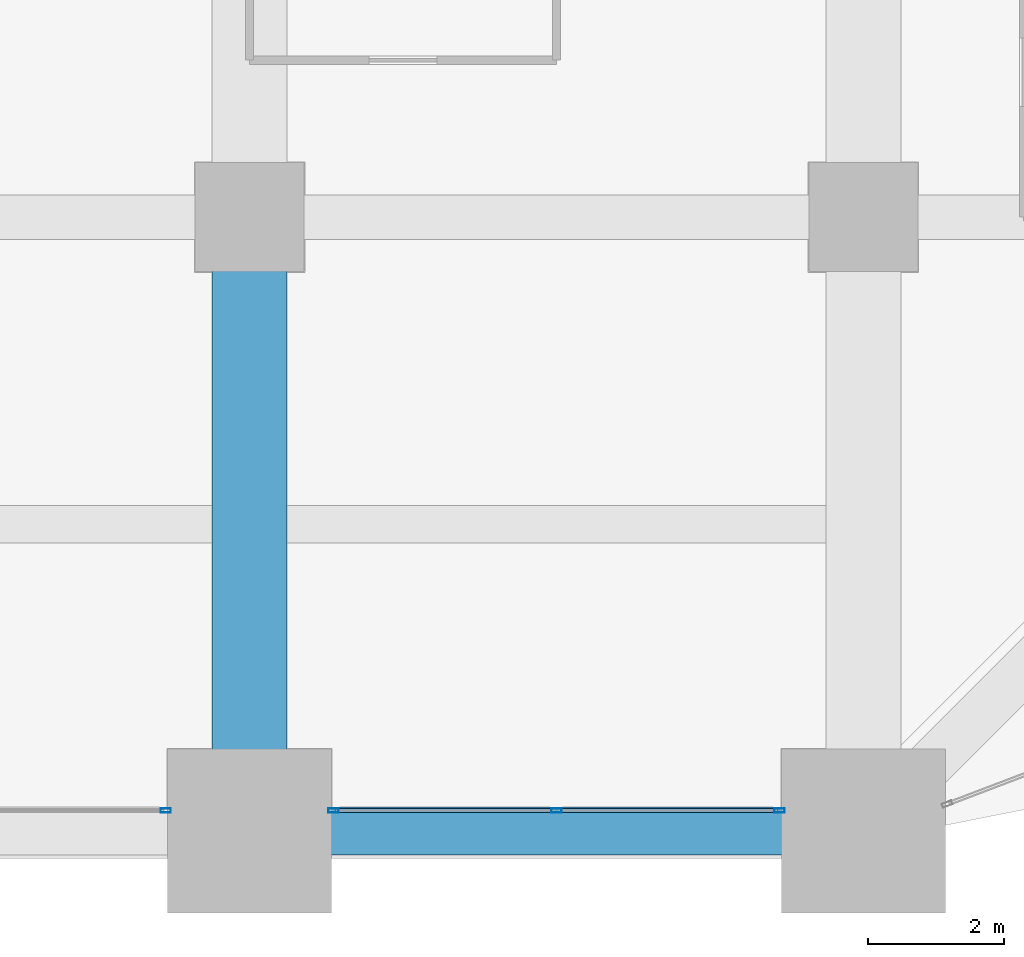
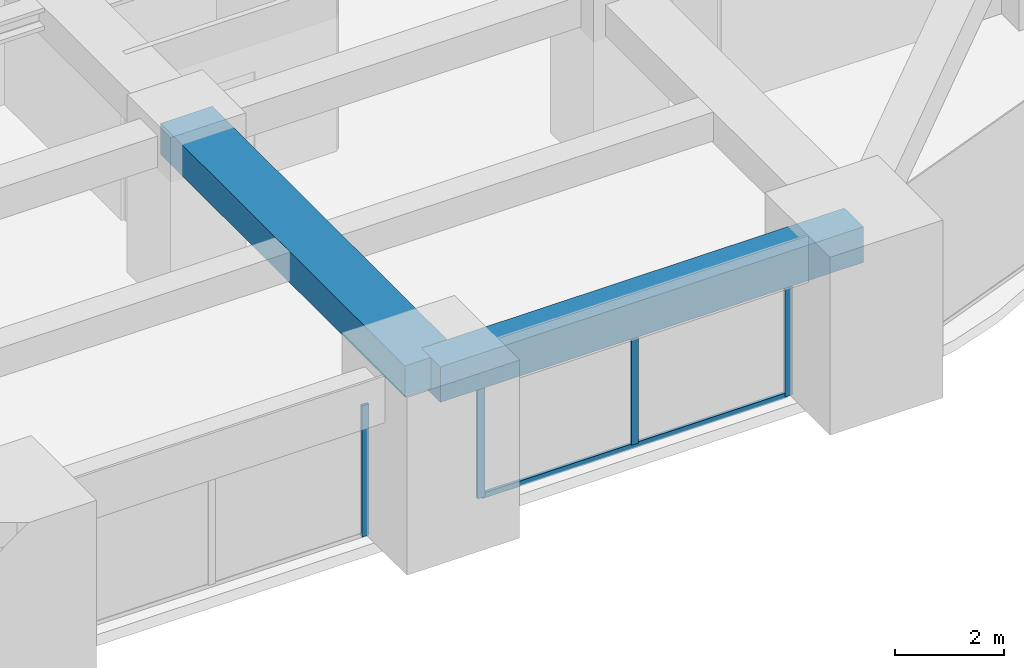
# One storey, part 13 of 32: 5 members, 2 beams, 2 elements without a shape of their own.
"""IFC4 building model written with IfcOpenShell, lengths in metres."""

from ifc_helpers import new_model, si_unit, direction, frame, origin, origin_2d, place, context, subcontext, project, spatial, rectangle, hollow_rectangle, extrude, material, material_profile, profile_set, type_object, element, aggregate, save


model = new_model("IFC4")

# Units and contexts
model_context = context("Model", 3, precision=1e-05, world=origin(), true_north=direction((0.0, 1.0)))
body_context = subcontext(model_context, "Body", "Model", "MODEL_VIEW")
ifc_project = project(units=[si_unit("LENGTHUNIT", "METRE"), si_unit("AREAUNIT", "SQUARE_METRE"), si_unit("VOLUMEUNIT", "CUBIC_METRE"), si_unit("PLANEANGLEUNIT", "RADIAN"), si_unit("MASSUNIT", "GRAM", prefix="KILO")], contexts=[model_context])

# Site, building, storey
site_placement = place(None, origin())
site = spatial("IfcSite", under=ifc_project, at=site_placement, CompositionType="ELEMENT")
building_placement = place(site_placement, origin())
building = spatial("IfcBuilding", under=site, at=building_placement, Name="Zorevar Civic Tower", CompositionType="ELEMENT")
storey_placement = place(building_placement, frame((0.0, 0.0, 190.199951171875)))
storey = spatial("IfcBuildingStorey", under=building, at=storey_placement, Name="L46", CompositionType="ELEMENT", Elevation=190.199951171875)

# Beam
ifc_material_1 = material(Name="Concrete C50/60", Category="concrete")
ifc_material_profile_1 = material_profile(ifc_material_1, rectangle(XDim=1.10009765625, YDim=0.699951171875, at=origin_2d()), Name="RC 1100x700")
ifc_profile_set_1 = profile_set([ifc_material_profile_1], Name="Concrete C50/60")
beam_type_1 = type_object("IfcBeamType", Name="Beam RC 1100x700", PredefinedType="BEAM", material=ifc_profile_set_1)
beam_1_placement = place(storey_placement, frame((36.0, 0.0, 3.400146484375), z_axis=(0.0, 1.0, 0.0), x_axis=(-1.0, 0.0, 0.0)))
element("IfcBeam", 1, at=beam_1_placement, inside=storey, type_object=beam_type_1, Name="Girder L47", PredefinedType="BEAM", context=body_context, shape_type="SweptSolid", body=[
    extrude(rectangle(XDim=1.10009765625, YDim=0.699951171875, at=origin_2d()), origin(), (0.0, 0.0, 1.0), 9.0),
])

# Curtain wall, member
ifc_material_2 = material(Name="Dark grey solar-control glass in black aluminium frame", Category="aluminium")
curtain_wall_type = type_object("IfcCurtainWallType", Name="Curtain wall CW4 high zone", PredefinedType="NOTDEFINED", material=ifc_material_2)
curtain_wall_1_placement = place(storey_placement, origin())
curtain_wall_1 = element("IfcCurtainWall", 2, at=curtain_wall_1_placement, inside=storey, type_object=curtain_wall_type, Name="CW4 L46", PredefinedType="NOTDEFINED")
ifc_material_3 = material(Name="Aluminium, black anodised", Category="aluminium")
ifc_material_profile_2 = material_profile(ifc_material_3, hollow_rectangle(XDim=0.06005859375, YDim=0.14990234375, WallThickness=0.00390625, at=origin_2d()), Name="AL 150x60x4")
ifc_profile_set_2 = profile_set([ifc_material_profile_2], Name="Aluminium, black anodised")
member_type_1 = type_object("IfcMemberType", Name="CW4 mullion AL 150x60x4", PredefinedType="MULLION", material=ifc_profile_set_2)
member_1_placement = place(storey_placement, frame((34.77001953125, 0.300048828125, 0.0), z_axis=(0.0, 0.0, 1.0), x_axis=(0.0, 1.0, 0.0)))
member_1 = element("IfcMember", 3, at=member_1_placement, type_object=member_type_1, Name="CW4 mullion 3", PredefinedType="MULLION", context=body_context, shape_type="SweptSolid", body=[
    extrude(hollow_rectangle(XDim=0.06005859375, YDim=0.14990234375, WallThickness=0.00390625, at=origin_2d()), origin(), (0.0, 0.0, 1.0), 2.949951171875),
])
aggregate(curtain_wall_1, [member_1])

# Curtain wall, members
curtain_wall_2_placement = place(storey_placement, origin())
curtain_wall_2 = element("IfcCurtainWall", 4, at=curtain_wall_2_placement, inside=storey, type_object=curtain_wall_type, Name="CW4 L46", PredefinedType="NOTDEFINED")
member_2_placement = place(storey_placement, frame((37.22998046875, 0.300048828125, 0.0), z_axis=(0.0, 0.0, 1.0), x_axis=(0.0, 1.0, 0.0)))
member_2 = element("IfcMember", 5, at=member_2_placement, type_object=member_type_1, Name="CW4 mullion 1", PredefinedType="MULLION", context=body_context, shape_type="SweptSolid", body=[
    extrude(hollow_rectangle(XDim=0.06005859375, YDim=0.14990234375, WallThickness=0.00390625, at=origin_2d()), origin(), (0.0, 0.0, 1.0), 2.949951171875),
])
member_3_placement = place(storey_placement, frame((40.5, 0.300048828125, 0.06005859375), z_axis=(0.0, 0.0, 1.0), x_axis=(0.0, 1.0, 0.0)))
member_3 = element("IfcMember", 6, at=member_3_placement, type_object=member_type_1, Name="CW4 mullion 2", PredefinedType="MULLION", context=body_context, shape_type="SweptSolid", body=[
    extrude(hollow_rectangle(XDim=0.06005859375, YDim=0.14990234375, WallThickness=0.00390625, at=origin_2d()), origin(), (0.0, 0.0, 1.0), 2.889892578125),
])
member_4_placement = place(storey_placement, frame((43.77001953125, 0.300048828125, 0.0), z_axis=(0.0, 0.0, 1.0), x_axis=(0.0, 1.0, 0.0)))
member_4 = element("IfcMember", 7, at=member_4_placement, type_object=member_type_1, Name="CW4 mullion 3", PredefinedType="MULLION", context=body_context, shape_type="SweptSolid", body=[
    extrude(hollow_rectangle(XDim=0.06005859375, YDim=0.14990234375, WallThickness=0.00390625, at=origin_2d()), origin(), (0.0, 0.0, 1.0), 2.949951171875),
])
ifc_material_4 = material(Name="Aluminium, black anodised", Category="aluminium")
ifc_material_profile_3 = material_profile(ifc_material_4, hollow_rectangle(XDim=0.06005859375, YDim=0.1201171875, WallThickness=0.0029296875, at=origin_2d()), Name="AL 120x60x3")
ifc_profile_set_3 = profile_set([ifc_material_profile_3], Name="Aluminium, black anodised")
member_type_2 = type_object("IfcMemberType", Name="CW4 transom AL 120x60x3", PredefinedType="USERDEFINED", material=ifc_profile_set_3)
member_5_placement = place(storey_placement, frame((37.260009765625, 0.300048828125, 0.030029296875), z_axis=(1.0, 0.0, 0.0), x_axis=(0.0, 1.0, 0.0)))
member_5 = element("IfcMember", 8, at=member_5_placement, type_object=member_type_2, Name="CW4 sill transom", ObjectType="TRANSOM", PredefinedType="USERDEFINED", context=body_context, shape_type="SweptSolid", body=[
    extrude(hollow_rectangle(XDim=0.06005859375, YDim=0.1201171875, WallThickness=0.0029296875, at=origin_2d()), origin(), (0.0, 0.0, 1.0), 6.47998046875),
])
aggregate(curtain_wall_2, [member_2, member_3, member_4, member_5])

# Beam
ifc_material_5 = material(Name="Concrete C50/60", Category="concrete")
ifc_material_profile_4 = material_profile(ifc_material_5, rectangle(XDim=0.699951171875, YDim=0.800048828125, at=origin_2d()), Name="RC 700x800")
ifc_profile_set_4 = profile_set([ifc_material_profile_4], Name="Concrete C50/60")
beam_type_2 = type_object("IfcBeamType", Name="Edge beam RC 700x800", PredefinedType="SPANDREL", material=ifc_profile_set_4)
beam_2_placement = place(storey_placement, frame((36.0, 0.0, 3.35009765625), z_axis=(1.0, 0.0, 0.0), x_axis=(0.0, 1.0, 0.0)))
element("IfcBeam", 9, at=beam_2_placement, inside=storey, type_object=beam_type_2, Name="Edge beam L47", PredefinedType="SPANDREL", context=body_context, shape_type="SweptSolid", body=[
    extrude(rectangle(XDim=0.699951171875, YDim=0.800048828125, at=origin_2d()), origin(), (0.0, 0.0, 1.0), 9.0),
])

save(model, "model.ifc")
